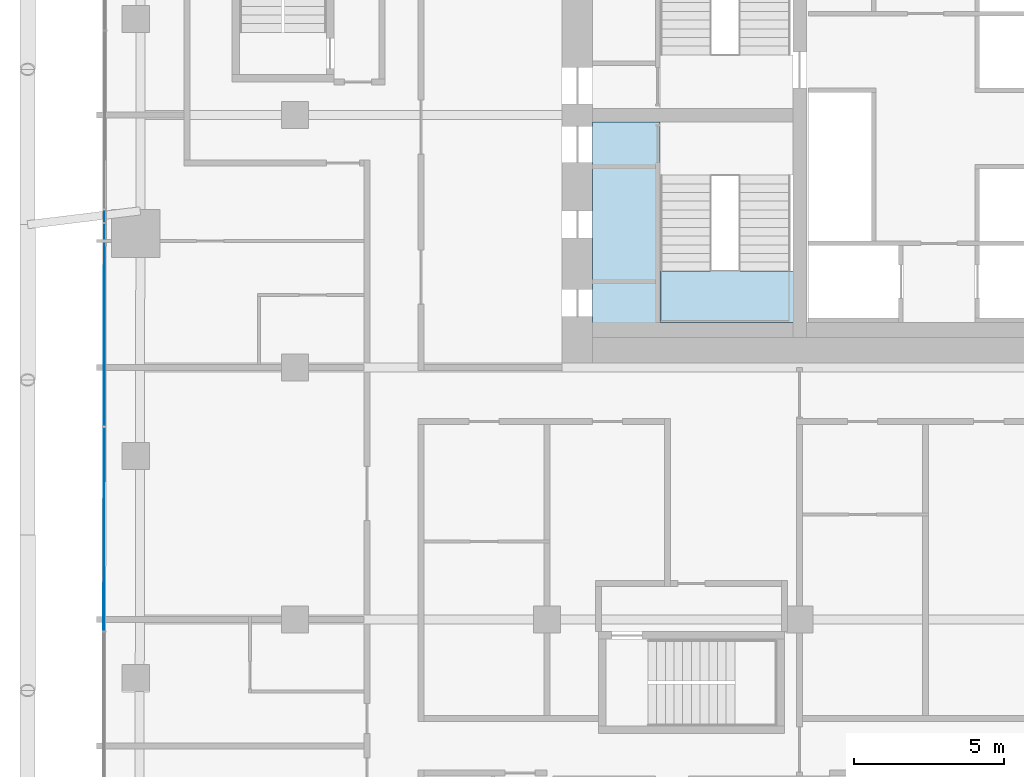
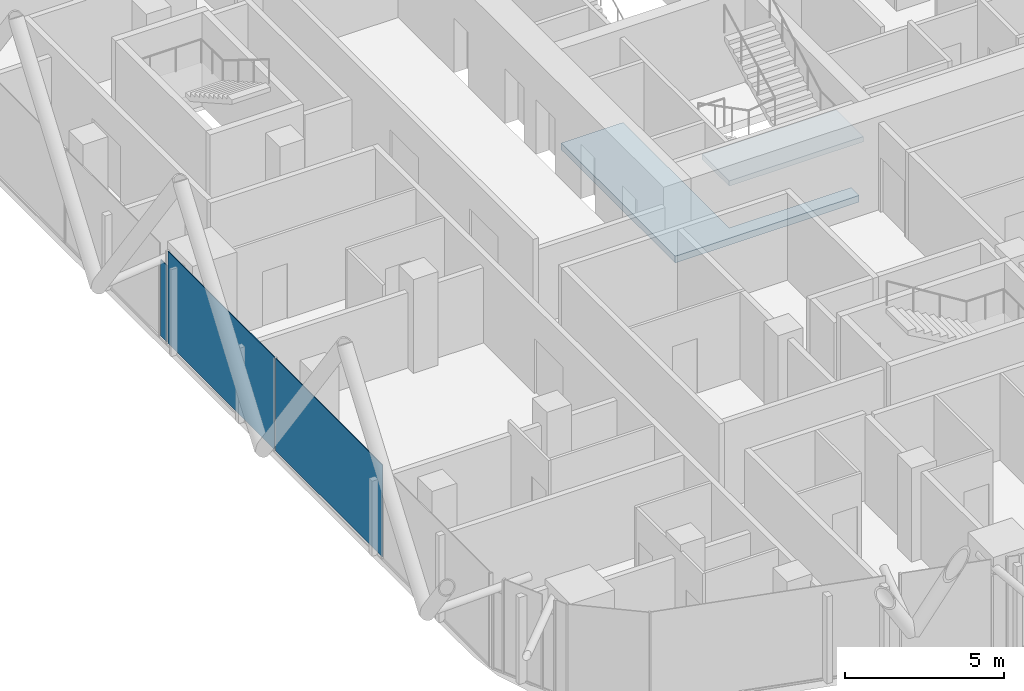
# One storey, part 20 of 36: 3 plates, 2 slabs, 3 elements without a shape of their own.
"""IFC4 building model written with IfcOpenShell, lengths in metres."""

from ifc_helpers import new_model, si_unit, direction, frame, origin, origin_2d, place, context, subcontext, project, spatial, polyline, rectangle, outline, extrude, material, layer, layer_set, type_object, element, aggregate, save


model = new_model("IFC4")

# Units and contexts
model_context = context("Model", 3, precision=1e-05, world=origin(), true_north=direction((0.0, 1.0)))
body_context = subcontext(model_context, "Body", "Model", "MODEL_VIEW")
ifc_project = project(units=[si_unit("LENGTHUNIT", "METRE"), si_unit("AREAUNIT", "SQUARE_METRE"), si_unit("VOLUMEUNIT", "CUBIC_METRE"), si_unit("PLANEANGLEUNIT", "RADIAN"), si_unit("MASSUNIT", "GRAM", prefix="KILO")], contexts=[model_context])

# Site, building, storey
site_placement = place(None, origin())
site = spatial("IfcSite", under=ifc_project, at=site_placement, CompositionType="ELEMENT")
building_placement = place(site_placement, origin())
building = spatial("IfcBuilding", under=site, at=building_placement, Name="Marenta Gate Hotel Tower", CompositionType="ELEMENT")
storey_placement = place(building_placement, frame((0.0, 0.0, 130.10009765625)))
storey = spatial("IfcBuildingStorey", under=building, at=storey_placement, Name="L29", CompositionType="ELEMENT", Elevation=130.10009765625)

# Slab
ifc_material_1 = material(Name="Concrete C40", Category="concrete")
ifc_layer_1 = layer(ifc_material_1, 0.260009765625)
ifc_layer_set_1 = layer_set([ifc_layer_1], Name="Concrete C40")
slab_type_1 = type_object("IfcSlabType", Name="Core floor slab 260", PredefinedType="FLOOR", material=ifc_layer_set_1)
slab_1_placement = place(storey_placement, frame((0.0, 0.0, -0.260009765625)))
element("IfcSlab", 1, at=slab_1_placement, inside=storey, type_object=slab_type_1, Name="L29-CF-5", PredefinedType="FLOOR", context=body_context, shape_type="SweptSolid", body=[
    extrude(outline(polyline([(-8.85009765625, 8.175048828125), (-8.85009765625, 8.10009765625), (-8.85009765625, 6.39990234375), (-8.85009765625, 1.5), (-4.425048828125, 1.5), (-4.425048828125, 1.0), (-11.10009765625, 1.0), (-11.10009765625, 8.175048828125), (-8.85009765625, 8.175048828125)])), origin(), (0.0, 0.0, 1.0), 0.260009765625),
])

# Stair, slab
ifc_material_2 = material(Name="Concrete C40", Category="concrete")
stair_type = type_object("IfcStairType", Name="Core exit stair 1700 wide", PredefinedType="HALF_TURN_STAIR", material=ifc_material_2)
stair_placement = place(storey_placement, origin())
stair = element("IfcStair", 2, at=stair_placement, inside=storey, type_object=stair_type, Name="Exit stair 1", PredefinedType="HALF_TURN_STAIR")
ifc_material_3 = material(Name="Concrete C40", Category="concrete")
ifc_layer_2 = layer(ifc_material_3, 0.199951171875)
ifc_layer_set_2 = layer_set([ifc_layer_2], Name="Concrete C40")
slab_type_2 = type_object("IfcSlabType", Name="Core stair landing 200", PredefinedType="LANDING", material=ifc_layer_set_2)
slab_2_placement = place(storey_placement, frame((0.0, 0.0, 1.599853515625)))
slab_2 = element("IfcSlab", 3, at=slab_2_placement, type_object=slab_type_2, Name="SL-200 ST1 landing 1", PredefinedType="LANDING", context=body_context, shape_type="SweptSolid", body=[
    extrude(outline(polyline([(-8.85009765625, 1.5), (-3.97509765625, 1.5), (-3.97509765625, 3.2099609375), (-8.85009765625, 3.2099609375), (-8.85009765625, 1.5)])), origin(), (0.0, 0.0, 1.0), 0.199951171875),
])
aggregate(stair, [slab_2])

# Curtain wall, plate
ifc_material_4 = material(Name="Tinted insulated glass in bronze anodised frame", Category="glass")
ifc_layer_3 = layer(ifc_material_4, 0.1201171875)
ifc_layer_set_3 = layer_set([ifc_layer_3], Name="Tinted insulated glass in bronze anodised frame")
curtain_wall_type = type_object("IfcCurtainWallType", Name="Tower unitised curtain wall CW1", PredefinedType="NOTDEFINED", material=ifc_layer_set_3)
curtain_wall_1_placement = place(storey_placement, origin())
curtain_wall_1 = element("IfcCurtainWall", 4, at=curtain_wall_1_placement, inside=storey, type_object=curtain_wall_type, Name="CW1 run G07", PredefinedType="NOTDEFINED")
ifc_material_5 = material(Name="Tinted insulated glass", Category="glass")
ifc_layer_4 = layer(ifc_material_5, 0.028076171875)
ifc_layer_set_4 = layer_set([ifc_layer_4], Name="Tinted insulated glass")
plate_type = type_object("IfcPlateType", Name="Glass panel CW1 28 mm tinted insulated unit", PredefinedType="CURTAIN_PANEL", material=ifc_layer_set_4)
plate_1_placement = place(storey_placement, frame((-27.340576171875, 5.03369140625, 0.06005859375), z_axis=(0.0, 0.0, 1.0), x_axis=(-0.001533404542, -0.999998824335, 0.0)))
plate_1 = element("IfcPlate", 5, at=plate_1_placement, type_object=plate_type, Name="CW1 panel 1.1", PredefinedType="CURTAIN_PANEL", context=body_context, shape_type="SweptSolid", body=[
    extrude(rectangle(XDim=0.396484375, YDim=0.028076171875, at=origin_2d()), origin(), (0.0, 0.0, 1.0), 2.9404296875),
])
aggregate(curtain_wall_1, [plate_1])

# Curtain wall, plates
curtain_wall_2_placement = place(storey_placement, origin())
curtain_wall_2 = element("IfcCurtainWall", 6, at=curtain_wall_2_placement, inside=storey, type_object=curtain_wall_type, Name="CW1 run G08", PredefinedType="NOTDEFINED")
plate_2_placement = place(storey_placement, frame((-27.34619140625, 1.412353515625, 0.059814453125), z_axis=(0.0, 0.0, 1.0), x_axis=(-0.001564882094, -0.999998775571, 0.0)))
plate_2 = element("IfcPlate", 7, at=plate_2_placement, type_object=plate_type, Name="CW1 panel 1.1", PredefinedType="CURTAIN_PANEL", context=body_context, shape_type="SweptSolid", body=[
    extrude(rectangle(XDim=6.726318359375, YDim=0.028076171875, at=origin_2d()), origin(), (0.0, 0.0, 1.0), 3.5400390625),
])
plate_3_placement = place(storey_placement, frame((-27.35693359375, -5.388916015625, 0.059814453125), z_axis=(0.0, 0.0, 1.0), x_axis=(-0.001564882094, -0.999998775571, 0.0)))
plate_3 = element("IfcPlate", 8, at=plate_3_placement, type_object=plate_type, Name="CW1 panel 2.1", PredefinedType="CURTAIN_PANEL", context=body_context, shape_type="SweptSolid", body=[
    extrude(rectangle(XDim=6.75634765625, YDim=0.028076171875, at=origin_2d()), origin(), (0.0, 0.0, 1.0), 3.5400390625),
])
aggregate(curtain_wall_2, [plate_2, plate_3])

save(model, "model.ifc")
